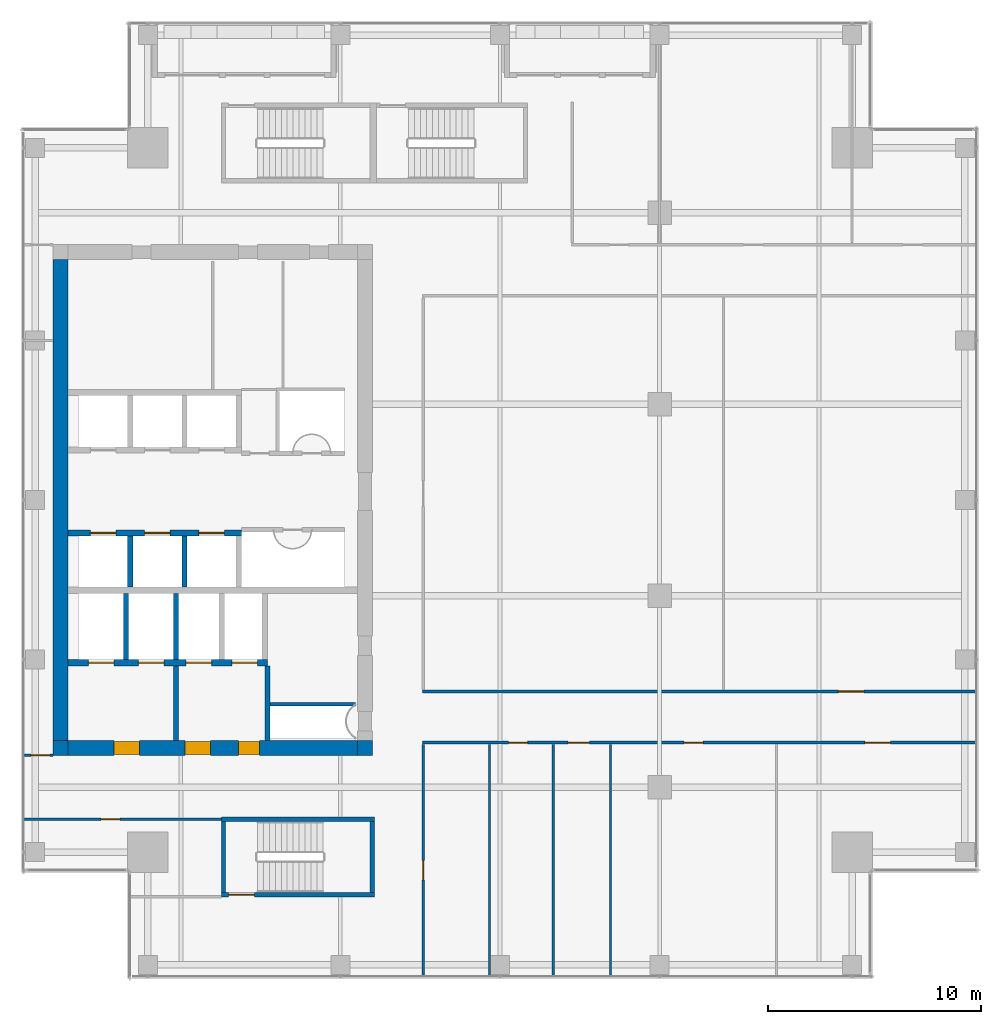
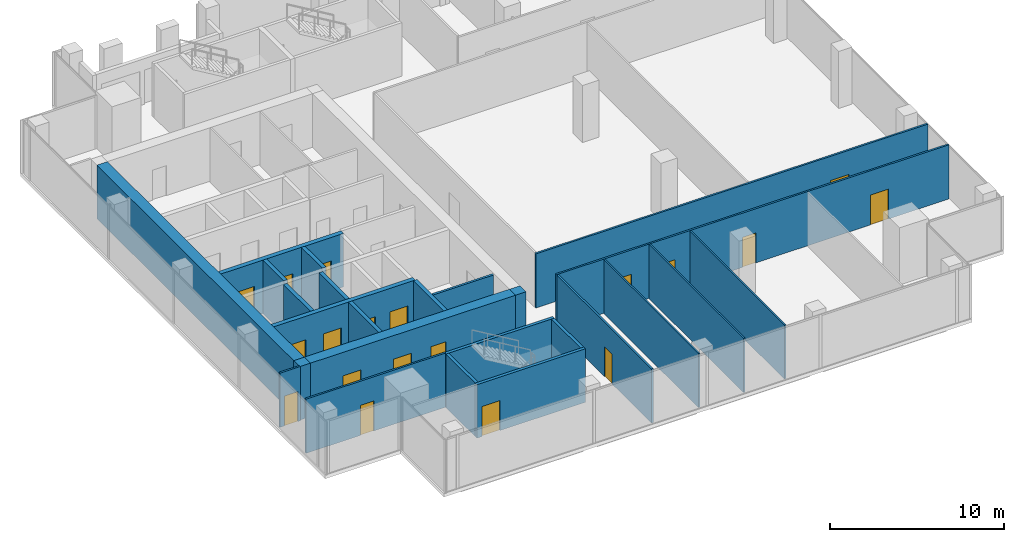
# One storey, part 30 of 35: 25 walls, 19 doors, 19 openings.
"""IFC4 building model written with IfcOpenShell, lengths in metres."""

from ifc_helpers import new_model, si_unit, direction, frame, frame_2d, origin, place, context, subcontext, project, spatial, rectangle, extrude, source, transform, mapped, material, layer, layer_set, type_object, element, fill, save


model = new_model("IFC4")

# Units and contexts
model_context = context("Model", 3, precision=1e-05, world=origin(), true_north=direction((0.0, 1.0)))
body_context = subcontext(model_context, "Body", "Model", "MODEL_VIEW")
ifc_project = project(units=[si_unit("LENGTHUNIT", "METRE"), si_unit("AREAUNIT", "SQUARE_METRE"), si_unit("VOLUMEUNIT", "CUBIC_METRE"), si_unit("PLANEANGLEUNIT", "RADIAN"), si_unit("MASSUNIT", "GRAM", prefix="KILO")], contexts=[model_context])

# Site, building, storey
site_placement = place(None, origin())
site = spatial("IfcSite", under=ifc_project, at=site_placement, CompositionType="ELEMENT")
building_placement = place(site_placement, origin())
building = spatial("IfcBuilding", under=site, at=building_placement, Name="Khomas Fold Tower", CompositionType="ELEMENT")
storey_placement = place(building_placement, frame((0.0, 0.0, 270.199951171875)))
storey = spatial("IfcBuildingStorey", under=building, at=storey_placement, Name="L61", CompositionType="ELEMENT", Elevation=270.199951171875)

# Wall
ifc_material_1 = material(Name="Concrete C50/60", Category="concrete")
ifc_layer_1 = layer(ifc_material_1, 0.199951171875)
ifc_layer_set_1 = layer_set([ifc_layer_1], Name="Concrete C50/60")
wall_type_1 = type_object("IfcWallType", Name="Stair wall 200", PredefinedType="SHEAR", material=ifc_layer_set_1)
shared_shape_1 = source(origin(), body_context, "Body", "SweptSolid", [
    extrude(rectangle(XDim=7.2001953125, YDim=0.199951171875, at=frame_2d((3.60009765625, 0.0))), origin(), (0.0, 0.0, 1.0), 3.75),
])
wall_1_placement = place(storey_placement, frame((13.89990234375, 12.0, 0.0), z_axis=(0.0, 0.0, 1.0), x_axis=(1.0, 0.0, 0.0)))
element("IfcWall", 1, at=wall_1_placement, inside=storey, type_object=wall_type_1, Name="Stair wall SW-ST2-NH", PredefinedType="SHEAR", context=body_context, shape_type="MappedRepresentation", body=[
    mapped(shared_shape_1, transform((0.0, 0.0, 0.0))),
])

# Wall, opening, door
wall_2_placement = place(storey_placement, frame((13.89990234375, 8.449951171875, 0.0), z_axis=(0.0, 0.0, 1.0), x_axis=(1.0, 0.0, 0.0)))
wall_2 = element("IfcWall", 2, at=wall_2_placement, inside=storey, type_object=wall_type_1, Name="Stair wall SW-ST2-S", PredefinedType="SHEAR", context=body_context, shape_type="MappedRepresentation", body=[
    mapped(shared_shape_1, transform((0.0, 0.0, 0.0))),
])
shared_shape_2 = source(origin(), body_context, "Body", "SweptSolid", [
    extrude(rectangle(XDim=1.199951171875, YDim=2.10009765625, at=frame_2d((0.60009765625, 1.050048828125))), frame((0.0, 0.10986328125, 0.0), z_axis=(0.0, -1.0, 0.0), x_axis=(1.0, 0.0, 0.0)), (0.0, 0.0, 1.0), 0.219970703125),
])
opening_1_placement = place(wall_2_placement, frame((0.35009765625, 0.0, 0.0)))
opening_1 = element("IfcOpeningElement", 3, at=opening_1_placement, cuts=wall_2, Name="Opening SD-ST2", PredefinedType="OPENING", context=body_context, shape_type="MappedRepresentation", body=[
    mapped(shared_shape_2, transform((0.0, 0.0, 0.0))),
])
ifc_material_2 = material(Name="Steel door leaf", Category="steel")
door_type_1 = type_object("IfcDoorType", Name="Stair door 1200x2100 right-hand", OperationType="SINGLE_SWING_RIGHT", PredefinedType="DOOR", material=ifc_material_2)
shared_shape_3 = source(origin(), body_context, "Body", "SweptSolid", [
    extrude(rectangle(XDim=1.199951171875, YDim=2.10009765625, at=frame_2d((0.60009765625, 1.050048828125))), frame((0.0, 0.02490234375, 0.0), z_axis=(0.0, -1.0, 0.0), x_axis=(1.0, 0.0, 0.0)), (0.0, 0.0, 1.0), 0.050048828125),
])
door_1_placement = place(opening_1_placement, origin())
door_1 = element("IfcDoor", 4, at=door_1_placement, inside=storey, type_object=door_type_1, Name="Stair door", OperationType="SINGLE_SWING_RIGHT", OverallHeight=2.10009765625, OverallWidth=1.199951171875, PredefinedType="DOOR", context=body_context, shape_type="MappedRepresentation", body=[
    mapped(shared_shape_3, transform((0.0, 0.0, 0.0))),
])
fill(opening_1, door_1)

# Walls
shared_shape_4 = source(origin(), body_context, "Body", "SweptSolid", [
    extrude(rectangle(XDim=3.349853515625, YDim=0.199951171875, at=frame_2d((1.6748046875, 0.0))), origin(), (0.0, 0.0, 1.0), 3.75),
])
for number, where, z_axis, x_axis, name in (
    (5, (21.0, 8.550048828125, 0.0), (0.0, 0.0, 1.0), (0.0, 1.0, 0.0), "Stair wall SW-ST2-E"),
    (6, (14.0, 8.550048828125, 0.0), (0.0, 0.0, 1.0), (0.0, 1.0, 0.0), "Stair wall SW-ST2-W"),
):
    element("IfcWall", number, at=place(storey_placement, frame(where, z_axis=z_axis, x_axis=x_axis)), inside=storey, type_object=wall_type_1, Name=name, PredefinedType="SHEAR", context=body_context, shape_type="MappedRepresentation", body=[
        mapped(shared_shape_4, transform((0.0, 0.0, 0.0))),
    ])
ifc_material_3 = material(Name="Concrete C50/60", Category="concrete")
ifc_layer_2 = layer(ifc_material_3, 0.25)
ifc_layer_set_2 = layer_set([ifc_layer_2], Name="Concrete C50/60")
wall_type_2 = type_object("IfcWallType", Name="Shaft wall 250", PredefinedType="STANDARD", material=ifc_layer_set_2)
shared_shape_5 = source(origin(), body_context, "Body", "SweptSolid", [
    extrude(rectangle(XDim=3.10009765625, YDim=0.25, at=frame_2d((1.550048828125, 0.0))), origin(), (0.0, 0.0, 1.0), 3.75),
])
for number, where, z_axis, x_axis, name in (
    (7, (9.425048828125, 19.5, 0.0), (0.0, 0.0, 1.0), (0.0, 1.0, 0.0), "Core wall SW-FS-P1"),
    (8, (11.77490234375, 19.5, 0.0), (0.0, 0.0, 1.0), (0.0, 1.0, 0.0), "Core wall SW-FS-P2"),
):
    element("IfcWall", number, at=place(storey_placement, frame(where, z_axis=z_axis, x_axis=x_axis)), inside=storey, type_object=wall_type_2, Name=name, PredefinedType="STANDARD", context=body_context, shape_type="MappedRepresentation", body=[
        mapped(shared_shape_5, transform((0.0, 0.0, 0.0))),
    ])
shared_shape_6 = source(origin(), body_context, "Body", "SweptSolid", [
    extrude(rectangle(XDim=2.400146484375, YDim=0.25, at=frame_2d((1.2001953125, 0.0))), origin(), (0.0, 0.0, 1.0), 3.75),
])
for number, where, z_axis, x_axis, name in (
    (9, (9.625, 22.89990234375, 0.0), (0.0, 0.0, 1.0), (0.0, 1.0, 0.0), "Core wall SW-HRS-P1"),
    (10, (12.175048828125, 22.89990234375, 0.0), (0.0, 0.0, 1.0), (0.0, 1.0, 0.0), "Core wall SW-HRS-P2"),
):
    element("IfcWall", number, at=place(storey_placement, frame(where, z_axis=z_axis, x_axis=x_axis)), inside=storey, type_object=wall_type_2, Name=name, PredefinedType="STANDARD", context=body_context, shape_type="MappedRepresentation", body=[
        mapped(shared_shape_6, transform((0.0, 0.0, 0.0))),
    ])

# Wall, openings, doors
ifc_material_4 = material(Name="Concrete C60/75", Category="concrete")
ifc_layer_3 = layer(ifc_material_4, 0.699951171875)
ifc_layer_set_3 = layer_set([ifc_layer_3], Name="Concrete C60/75")
wall_type_3 = type_object("IfcWallType", Name="Core wall 700", PredefinedType="SHEAR", material=ifc_layer_set_3)
shared_shape_7 = source(origin(), body_context, "Body", "SweptSolid", [
    extrude(rectangle(XDim=13.60009765625, YDim=0.699951171875, at=frame_2d((6.800048828125, 0.0))), origin(), (0.0, 0.0, 1.0), 3.75),
])
wall_3_placement = place(storey_placement, frame((6.699951171875, 15.35009765625, 0.0), z_axis=(0.0, 0.0, 1.0), x_axis=(1.0, 0.0, 0.0)))
wall_3 = element("IfcWall", 11, at=wall_3_placement, inside=storey, type_object=wall_type_3, Name="Core wall CW-U-S-L49", PredefinedType="SHEAR", context=body_context, shape_type="MappedRepresentation", body=[
    mapped(shared_shape_7, transform((0.0, 0.0, 0.0))),
])
shared_shape_8 = source(origin(), body_context, "Body", "SweptSolid", [
    extrude(rectangle(XDim=1.199951171875, YDim=2.10009765625, at=frame_2d((0.60009765625, 1.050048828125))), frame((0.0, 0.35986328125, 0.0), z_axis=(0.0, -1.0, 0.0), x_axis=(1.0, 0.0, 0.0)), (0.0, 0.0, 1.0), 0.719970703125),
])
opening_2_placement = place(wall_3_placement, frame((5.5, 0.0, 0.0)))
opening_2 = element("IfcOpeningElement", 12, at=opening_2_placement, cuts=wall_3, Name="Opening 0009", PredefinedType="OPENING", context=body_context, shape_type="MappedRepresentation", body=[
    mapped(shared_shape_8, transform((0.0, 0.0, 0.0))),
])
opening_3_placement = place(wall_3_placement, frame((2.14990234375, 0.0, 0.0)))
opening_3 = element("IfcOpeningElement", 13, at=opening_3_placement, cuts=wall_3, Name="Opening 0009", PredefinedType="OPENING", context=body_context, shape_type="MappedRepresentation", body=[
    mapped(shared_shape_8, transform((0.0, 0.0, 0.0))),
])
shared_shape_9 = source(origin(), body_context, "Body", "SweptSolid", [
    extrude(rectangle(XDim=1.0, YDim=2.10009765625, at=frame_2d((0.5, 1.050048828125))), frame((0.0, 0.35986328125, 0.0), z_axis=(0.0, -1.0, 0.0), x_axis=(1.0, 0.0, 0.0)), (0.0, 0.0, 1.0), 0.719970703125),
])
opening_4_placement = place(wall_3_placement, frame((8.0, 0.0, 0.0)))
opening_4 = element("IfcOpeningElement", 14, at=opening_4_placement, cuts=wall_3, Name="Opening 0010", PredefinedType="OPENING", context=body_context, shape_type="MappedRepresentation", body=[
    mapped(shared_shape_9, transform((0.0, 0.0, 0.0))),
])
ifc_material_5 = material(Name="Steel door leaf", Category="steel")
door_type_2 = type_object("IfcDoorType", Name="Lobby door 1200x2100 right-hand", OperationType="SINGLE_SWING_RIGHT", PredefinedType="DOOR", material=ifc_material_5)
shared_shape_10 = source(origin(), body_context, "Body", "SweptSolid", [
    extrude(rectangle(XDim=1.199951171875, YDim=2.10009765625, at=frame_2d((0.60009765625, 1.050048828125))), frame((0.0, 0.2998046875, 0.0), z_axis=(0.0, -1.0, 0.0), x_axis=(1.0, 0.0, 0.0)), (0.0, 0.0, 1.0), 0.599853515625),
])
door_2_placement = place(opening_2_placement, origin())
door_2 = element("IfcDoor", 15, at=door_2_placement, inside=storey, type_object=door_type_2, Name="Lobby door", OperationType="SINGLE_SWING_RIGHT", OverallHeight=2.10009765625, OverallWidth=1.199951171875, PredefinedType="DOOR", context=body_context, shape_type="MappedRepresentation", body=[
    mapped(shared_shape_10, transform((0.0, 0.0, 0.0))),
])
fill(opening_2, door_2)
door_3_placement = place(opening_3_placement, origin())
door_3 = element("IfcDoor", 16, at=door_3_placement, inside=storey, type_object=door_type_2, Name="Lobby door", OperationType="SINGLE_SWING_RIGHT", OverallHeight=2.10009765625, OverallWidth=1.199951171875, PredefinedType="DOOR", context=body_context, shape_type="MappedRepresentation", body=[
    mapped(shared_shape_10, transform((0.0, 0.0, 0.0))),
])
fill(opening_3, door_3)
ifc_material_6 = material(Name="Steel door leaf", Category="steel")
door_type_3 = type_object("IfcDoorType", Name="Stair door 1000x2100 right-hand", OperationType="SINGLE_SWING_RIGHT", PredefinedType="DOOR", material=ifc_material_6)
shared_shape_11 = source(origin(), body_context, "Body", "SweptSolid", [
    extrude(rectangle(XDim=1.0, YDim=2.10009765625, at=frame_2d((0.5, 1.050048828125))), frame((0.0, 0.2998046875, 0.0), z_axis=(0.0, -1.0, 0.0), x_axis=(1.0, 0.0, 0.0)), (0.0, 0.0, 1.0), 0.599853515625),
])
door_4_placement = place(opening_4_placement, origin())
door_4 = element("IfcDoor", 17, at=door_4_placement, inside=storey, type_object=door_type_3, Name="Stair door", OperationType="SINGLE_SWING_RIGHT", OverallHeight=2.10009765625, OverallWidth=1.0, PredefinedType="DOOR", context=body_context, shape_type="MappedRepresentation", body=[
    mapped(shared_shape_11, transform((0.0, 0.0, 0.0))),
])
fill(opening_4, door_4)

# Walls
ifc_material_7 = material(Name="Concrete C60/75", Category="concrete")
ifc_layer_4 = layer(ifc_material_7, 0.699951171875)
ifc_layer_set_4 = layer_set([ifc_layer_4], Name="Concrete C60/75")
wall_type_4 = type_object("IfcWallType", Name="Core corner wall 700", PredefinedType="SHEAR", material=ifc_layer_set_4)
shared_shape_12 = source(origin(), body_context, "Body", "SweptSolid", [
    extrude(rectangle(XDim=0.699951171875, YDim=0.699951171875, at=frame_2d((0.35009765625, 0.0))), origin(), (0.0, 0.0, 1.0), 3.75),
])
for number, where, z_axis, x_axis, name in (
    (18, (20.300048828125, 15.35009765625, 0.0), (0.0, 0.0, 1.0), (1.0, 0.0, 0.0), "Core wall CW-U-SE-L49"),
    (19, (6.0, 15.35009765625, 0.0), (0.0, 0.0, 1.0), (1.0, 0.0, 0.0), "Core wall CW-U-SW-L49"),
):
    element("IfcWall", number, at=place(storey_placement, frame(where, z_axis=z_axis, x_axis=x_axis)), inside=storey, type_object=wall_type_4, Name=name, PredefinedType="SHEAR", context=body_context, shape_type="MappedRepresentation", body=[
        mapped(shared_shape_12, transform((0.0, 0.0, 0.0))),
    ])
shared_shape_13 = source(origin(), body_context, "Body", "SweptSolid", [
    extrude(rectangle(XDim=22.60009765625, YDim=0.699951171875, at=frame_2d((11.300048828125, 0.0))), origin(), (0.0, 0.0, 1.0), 3.75),
])
wall_4_placement = place(storey_placement, frame((6.35009765625, 15.699951171875, 0.0), z_axis=(0.0, 0.0, 1.0), x_axis=(0.0, 1.0, 0.0)))
element("IfcWall", 20, at=wall_4_placement, inside=storey, type_object=wall_type_3, Name="Core wall CW-U-W-L49", PredefinedType="SHEAR", context=body_context, shape_type="MappedRepresentation", body=[
    mapped(shared_shape_13, transform((0.0, 0.0, 0.0))),
])

# Wall, openings, doors
ifc_material_8 = material(Name="Concrete C50/60", Category="concrete")
ifc_layer_5 = layer(ifc_material_8, 0.300048828125)
ifc_layer_set_5 = layer_set([ifc_layer_5], Name="Concrete C50/60")
wall_type_5 = type_object("IfcWallType", Name="Shaft wall 300", PredefinedType="STANDARD", material=ifc_layer_set_5)
shared_shape_14 = source(origin(), body_context, "Body", "SweptSolid", [
    extrude(rectangle(XDim=9.375, YDim=0.300048828125, at=frame_2d((4.6875, 0.0))), origin(), (0.0, 0.0, 1.0), 3.75),
])
wall_5_placement = place(storey_placement, frame((6.699951171875, 19.35009765625, 0.0), z_axis=(0.0, 0.0, 1.0), x_axis=(1.0, 0.0, 0.0)))
wall_5 = element("IfcWall", 21, at=wall_5_placement, inside=storey, type_object=wall_type_5, Name="Core wall SW-FS-F", PredefinedType="STANDARD", context=body_context, shape_type="MappedRepresentation", body=[
    mapped(shared_shape_14, transform((0.0, 0.0, 0.0))),
])
shared_shape_15 = source(origin(), body_context, "Body", "SweptSolid", [
    extrude(rectangle(XDim=1.199951171875, YDim=2.10009765625, at=frame_2d((0.60009765625, 1.050048828125))), frame((0.0, 0.159912109375, 0.0), z_axis=(0.0, -1.0, 0.0), x_axis=(1.0, 0.0, 0.0)), (0.0, 0.0, 1.0), 0.320068359375),
])
opening_5_placement = place(wall_5_placement, frame((0.949951171875, 0.0, 0.0)))
opening_5 = element("IfcOpeningElement", 22, at=opening_5_placement, cuts=wall_5, Name="Opening LD-SV1", PredefinedType="OPENING", context=body_context, shape_type="MappedRepresentation", body=[
    mapped(shared_shape_15, transform((0.0, 0.0, 0.0))),
])
opening_6_placement = place(wall_5_placement, frame((3.300048828125, 0.0, 0.0)))
opening_6 = element("IfcOpeningElement", 23, at=opening_6_placement, cuts=wall_5, Name="Opening LD-SV2", PredefinedType="OPENING", context=body_context, shape_type="MappedRepresentation", body=[
    mapped(shared_shape_15, transform((0.0, 0.0, 0.0))),
])
opening_7_placement = place(wall_5_placement, frame((5.550048828125, 0.0, 0.0)))
opening_7 = element("IfcOpeningElement", 24, at=opening_7_placement, cuts=wall_5, Name="Opening LD-FF1", PredefinedType="OPENING", context=body_context, shape_type="MappedRepresentation", body=[
    mapped(shared_shape_15, transform((0.0, 0.0, 0.0))),
])
opening_8_placement = place(wall_5_placement, frame((7.699951171875, 0.0, 0.0)))
opening_8 = element("IfcOpeningElement", 25, at=opening_8_placement, cuts=wall_5, Name="Opening LD-FF2", PredefinedType="OPENING", context=body_context, shape_type="MappedRepresentation", body=[
    mapped(shared_shape_15, transform((0.0, 0.0, 0.0))),
])
ifc_material_9 = material(Name="Steel door leaf", Category="steel")
door_type_4 = type_object("IfcDoorType", Name="Landing door 1200x2100", OperationType="DOUBLE_DOOR_SLIDING", PredefinedType="DOOR", material=ifc_material_9)
door_5_placement = place(opening_5_placement, origin())
door_5 = element("IfcDoor", 26, at=door_5_placement, inside=storey, type_object=door_type_4, Name="Lift landing door", OperationType="DOUBLE_DOOR_SLIDING", OverallHeight=2.10009765625, OverallWidth=1.199951171875, PredefinedType="DOOR", context=body_context, shape_type="MappedRepresentation", body=[
    mapped(shared_shape_3, transform((0.0, 0.0, 0.0))),
])
fill(opening_5, door_5)
door_6_placement = place(opening_6_placement, origin())
door_6 = element("IfcDoor", 27, at=door_6_placement, inside=storey, type_object=door_type_4, Name="Lift landing door", OperationType="DOUBLE_DOOR_SLIDING", OverallHeight=2.10009765625, OverallWidth=1.199951171875, PredefinedType="DOOR", context=body_context, shape_type="MappedRepresentation", body=[
    mapped(shared_shape_3, transform((0.0, 0.0, 0.0))),
])
fill(opening_6, door_6)
door_7_placement = place(opening_7_placement, origin())
door_7 = element("IfcDoor", 28, at=door_7_placement, inside=storey, type_object=door_type_4, Name="Lift landing door", OperationType="DOUBLE_DOOR_SLIDING", OverallHeight=2.10009765625, OverallWidth=1.199951171875, PredefinedType="DOOR", context=body_context, shape_type="MappedRepresentation", body=[
    mapped(shared_shape_3, transform((0.0, 0.0, 0.0))),
])
fill(opening_7, door_7)
door_8_placement = place(opening_8_placement, origin())
door_8 = element("IfcDoor", 29, at=door_8_placement, inside=storey, type_object=door_type_4, Name="Lift landing door", OperationType="DOUBLE_DOOR_SLIDING", OverallHeight=2.10009765625, OverallWidth=1.199951171875, PredefinedType="DOOR", context=body_context, shape_type="MappedRepresentation", body=[
    mapped(shared_shape_3, transform((0.0, 0.0, 0.0))),
])
fill(opening_8, door_8)

# Walls
ifc_material_10 = material(Name="Concrete C50/60", Category="concrete")
ifc_layer_6 = layer(ifc_material_10, 0.25)
ifc_layer_set_6 = layer_set([ifc_layer_6], Name="Concrete C50/60")
wall_type_6 = type_object("IfcWallType", Name="Lobby wall 250", PredefinedType="STANDARD", material=ifc_layer_set_6)
shared_shape_16 = source(origin(), body_context, "Body", "SweptSolid", [
    extrude(rectangle(XDim=3.5, YDim=0.25, at=frame_2d((1.75, 0.0))), origin(), (0.0, 0.0, 1.0), 3.75),
])
for number, where, z_axis, x_axis, name in (
    (30, (16.074951171875, 15.699951171875, 0.0), (0.0, 0.0, 1.0), (0.0, 1.0, 0.0), "Core wall SW-FS-LOB-E"),
    (31, (11.77490234375, 15.699951171875, 0.0), (0.0, 0.0, 1.0), (0.0, 1.0, 0.0), "Core wall SW-FS-SEP"),
):
    element("IfcWall", number, at=place(storey_placement, frame(where, z_axis=z_axis, x_axis=x_axis)), inside=storey, type_object=wall_type_6, Name=name, PredefinedType="STANDARD", context=body_context, shape_type="MappedRepresentation", body=[
        mapped(shared_shape_16, transform((0.0, 0.0, 0.0))),
    ])

# Wall, openings, doors
shared_shape_17 = source(origin(), body_context, "Body", "SweptSolid", [
    extrude(rectangle(XDim=8.150146484375, YDim=0.300048828125, at=frame_2d((4.0751953125, 0.0))), origin(), (0.0, 0.0, 1.0), 3.75),
])
wall_6_placement = place(storey_placement, frame((6.699951171875, 25.449951171875, 0.0), z_axis=(0.0, 0.0, 1.0), x_axis=(1.0, 0.0, 0.0)))
wall_6 = element("IfcWall", 32, at=wall_6_placement, inside=storey, type_object=wall_type_5, Name="Core wall SW-HRS-F", PredefinedType="STANDARD", context=body_context, shape_type="MappedRepresentation", body=[
    mapped(shared_shape_17, transform((0.0, 0.0, 0.0))),
])
opening_9_placement = place(wall_6_placement, frame((1.050048828125, 0.0, 0.0)))
opening_9 = element("IfcOpeningElement", 33, at=opening_9_placement, cuts=wall_6, Name="Opening LD-HR1", PredefinedType="OPENING", context=body_context, shape_type="MappedRepresentation", body=[
    mapped(shared_shape_15, transform((0.0, 0.0, 0.0))),
])
opening_10_placement = place(wall_6_placement, frame((3.60009765625, 0.0, 0.0)))
opening_10 = element("IfcOpeningElement", 34, at=opening_10_placement, cuts=wall_6, Name="Opening LD-HR2", PredefinedType="OPENING", context=body_context, shape_type="MappedRepresentation", body=[
    mapped(shared_shape_15, transform((0.0, 0.0, 0.0))),
])
opening_11_placement = place(wall_6_placement, frame((6.14990234375, 0.0, 0.0)))
opening_11 = element("IfcOpeningElement", 35, at=opening_11_placement, cuts=wall_6, Name="Opening LD-HR3", PredefinedType="OPENING", context=body_context, shape_type="MappedRepresentation", body=[
    mapped(shared_shape_15, transform((0.0, 0.0, 0.0))),
])
door_9_placement = place(opening_9_placement, origin())
door_9 = element("IfcDoor", 36, at=door_9_placement, inside=storey, type_object=door_type_4, Name="Lift landing door", OperationType="DOUBLE_DOOR_SLIDING", OverallHeight=2.10009765625, OverallWidth=1.199951171875, PredefinedType="DOOR", context=body_context, shape_type="MappedRepresentation", body=[
    mapped(shared_shape_3, transform((0.0, 0.0, 0.0))),
])
fill(opening_9, door_9)
door_10_placement = place(opening_10_placement, origin())
door_10 = element("IfcDoor", 37, at=door_10_placement, inside=storey, type_object=door_type_4, Name="Lift landing door", OperationType="DOUBLE_DOOR_SLIDING", OverallHeight=2.10009765625, OverallWidth=1.199951171875, PredefinedType="DOOR", context=body_context, shape_type="MappedRepresentation", body=[
    mapped(shared_shape_3, transform((0.0, 0.0, 0.0))),
])
fill(opening_10, door_10)
door_11_placement = place(opening_11_placement, origin())
door_11 = element("IfcDoor", 38, at=door_11_placement, inside=storey, type_object=door_type_4, Name="Lift landing door", OperationType="DOUBLE_DOOR_SLIDING", OverallHeight=2.10009765625, OverallWidth=1.199951171875, PredefinedType="DOOR", context=body_context, shape_type="MappedRepresentation", body=[
    mapped(shared_shape_3, transform((0.0, 0.0, 0.0))),
])
fill(opening_11, door_11)

# Wall
ifc_material_11 = material(Name="Plasterboard fire partition")
ifc_layer_7 = layer(ifc_material_11, 0.14990234375)
ifc_layer_set_7 = layer_set([ifc_layer_7], Name="Plasterboard fire partition")
wall_type_7 = type_object("IfcWallType", Name="Plant room wall PW3 150", PredefinedType="PARTITIONING", material=ifc_layer_set_7)
shared_shape_18 = source(origin(), body_context, "Body", "SweptSolid", [
    extrude(rectangle(XDim=4.0, YDim=0.14990234375, at=frame_2d((2.0, 0.0))), origin(), (0.0, 0.0, 1.0), 3.800048828125),
])
wall_7_placement = place(storey_placement, frame((16.199951171875, 17.39990234375, 0.0), z_axis=(0.0, 0.0, 1.0), x_axis=(1.0, 0.0, 0.0)))
element("IfcWall", 39, at=wall_7_placement, inside=storey, type_object=wall_type_7, Name="Plant room wall", PredefinedType="PARTITIONING", context=body_context, shape_type="MappedRepresentation", body=[
    mapped(shared_shape_18, transform((0.0, 0.0, 0.0))),
])

# Wall, opening, door
ifc_material_12 = material(Name="Plasterboard partition")
ifc_layer_8 = layer(ifc_material_12, 0.125)
ifc_layer_set_8 = layer_set([ifc_layer_8], Name="Plasterboard partition")
wall_type_8 = type_object("IfcWallType", Name="Partition PW2 125", PredefinedType="PARTITIONING", material=ifc_layer_set_8)
shared_shape_19 = source(origin(), body_context, "Body", "SweptSolid", [
    extrude(rectangle(XDim=9.25, YDim=0.125, at=frame_2d((4.625, 0.0))), origin(), (0.0, 0.0, 1.0), 3.800048828125),
])
wall_8_placement = place(storey_placement, frame((4.64990234375, 12.0, 0.0), z_axis=(0.0, 0.0, 1.0), x_axis=(1.0, 0.0, 0.0)))
wall_8 = element("IfcWall", 40, at=wall_8_placement, inside=storey, type_object=wall_type_8, Name="Partition", PredefinedType="PARTITIONING", context=body_context, shape_type="MappedRepresentation", body=[
    mapped(shared_shape_19, transform((0.0, 0.0, 0.0))),
])
shared_shape_20 = source(origin(), body_context, "Body", "SweptSolid", [
    extrude(rectangle(XDim=0.89990234375, YDim=2.10009765625, at=frame_2d((0.449951171875, 1.050048828125))), frame((0.0, 0.072509765625, 0.0), z_axis=(0.0, -1.0, 0.0), x_axis=(1.0, 0.0, 0.0)), (0.0, 0.0, 1.0), 0.14501953125),
])
opening_12_placement = place(wall_8_placement, frame((3.60009765625, 0.0, 0.0)))
opening_12 = element("IfcOpeningElement", 41, at=opening_12_placement, cuts=wall_8, Name="Opening 0007", PredefinedType="OPENING", context=body_context, shape_type="MappedRepresentation", body=[
    mapped(shared_shape_20, transform((0.0, 0.0, 0.0))),
])
ifc_material_13 = material(Name="Timber door leaf", Category="wood")
door_type_5 = type_object("IfcDoorType", Name="Door 900x2100 left-hand", OperationType="SINGLE_SWING_LEFT", PredefinedType="DOOR", material=ifc_material_13)
shared_shape_21 = source(origin(), body_context, "Body", "SweptSolid", [
    extrude(rectangle(XDim=0.89990234375, YDim=2.10009765625, at=frame_2d((0.449951171875, 1.050048828125))), frame((0.0, 0.02490234375, 0.0), z_axis=(0.0, -1.0, 0.0), x_axis=(1.0, 0.0, 0.0)), (0.0, 0.0, 1.0), 0.050048828125),
])
door_12_placement = place(opening_12_placement, origin())
door_12 = element("IfcDoor", 42, at=door_12_placement, inside=storey, type_object=door_type_5, Name="Door", OperationType="SINGLE_SWING_LEFT", OverallHeight=2.10009765625, OverallWidth=0.89990234375, PredefinedType="DOOR", context=body_context, shape_type="MappedRepresentation", body=[
    mapped(shared_shape_21, transform((0.0, 0.0, 0.0))),
])
fill(opening_12, door_12)

shared_shape_22 = source(origin(), body_context, "Body", "SweptSolid", [
    extrude(rectangle(XDim=10.85009765625, YDim=0.125, at=frame_2d((5.425048828125, 0.0))), origin(), (0.0, 0.0, 1.0), 3.800048828125),
])
wall_9_placement = place(storey_placement, frame((23.39990234375, 4.64990234375, 0.0), z_axis=(0.0, 0.0, 1.0), x_axis=(0.0, 1.0, 0.0)))
wall_9 = element("IfcWall", 43, at=wall_9_placement, inside=storey, type_object=wall_type_8, Name="Partition", PredefinedType="PARTITIONING", context=body_context, shape_type="MappedRepresentation", body=[
    mapped(shared_shape_22, transform((0.0, 0.0, 0.0))),
])
opening_13_placement = place(wall_9_placement, frame((4.5, 0.0, 0.0)))
opening_13 = element("IfcOpeningElement", 44, at=opening_13_placement, cuts=wall_9, Name="Opening 0005", PredefinedType="OPENING", context=body_context, shape_type="MappedRepresentation", body=[
    mapped(shared_shape_20, transform((0.0, 0.0, 0.0))),
])
ifc_material_14 = material(Name="Timber door leaf", Category="wood")
door_type_6 = type_object("IfcDoorType", Name="WC door 900x2100 left-hand", OperationType="SINGLE_SWING_LEFT", PredefinedType="DOOR", material=ifc_material_14)
door_13_placement = place(opening_13_placement, origin())
door_13 = element("IfcDoor", 45, at=door_13_placement, inside=storey, type_object=door_type_6, Name="WC door", OperationType="SINGLE_SWING_LEFT", OverallHeight=2.10009765625, OverallWidth=0.89990234375, PredefinedType="DOOR", context=body_context, shape_type="MappedRepresentation", body=[
    mapped(shared_shape_21, transform((0.0, 0.0, 0.0))),
])
fill(opening_13, door_13)

# Walls
ifc_material_15 = material(Name="Plasterboard partition")
ifc_layer_9 = layer(ifc_material_15, 0.10009765625)
ifc_layer_set_9 = layer_set([ifc_layer_9], Name="Plasterboard partition")
wall_type_9 = type_object("IfcWallType", Name="Partition PW1 100", PredefinedType="PARTITIONING", material=ifc_layer_set_9)
shared_shape_23 = source(origin(), body_context, "Body", "SweptSolid", [
    extrude(rectangle(XDim=10.85009765625, YDim=0.10009765625, at=frame_2d((5.425048828125, 0.0))), origin(), (0.0, 0.0, 1.0), 3.800048828125),
])
for number, where, z_axis, x_axis, name in (
    (46, (26.5, 4.64990234375, 0.0), (0.0, 0.0, 1.0), (0.0, 1.0, 0.0), "Partition"),
    (47, (29.5, 4.64990234375, 0.0), (0.0, 0.0, 1.0), (0.0, 1.0, 0.0), "Partition"),
    (48, (32.199951171875, 4.64990234375, 0.0), (0.0, 0.0, 1.0), (0.0, 1.0, 0.0), "Partition"),
):
    element("IfcWall", number, at=place(storey_placement, frame(where, z_axis=z_axis, x_axis=x_axis)), inside=storey, type_object=wall_type_9, Name=name, PredefinedType="PARTITIONING", context=body_context, shape_type="MappedRepresentation", body=[
        mapped(shared_shape_23, transform((0.0, 0.0, 0.0))),
    ])

# Wall, opening, door
shared_shape_24 = source(origin(), body_context, "Body", "SweptSolid", [
    extrude(rectangle(XDim=1.35009765625, YDim=0.125, at=frame_2d((0.675048828125, 0.0))), origin(), (0.0, 0.0, 1.0), 3.800048828125),
])
wall_10_placement = place(storey_placement, frame((4.64990234375, 15.0, 0.0), z_axis=(0.0, 0.0, 1.0), x_axis=(1.0, 0.0, 0.0)))
wall_10 = element("IfcWall", 49, at=wall_10_placement, inside=storey, type_object=wall_type_8, Name="Partition", PredefinedType="PARTITIONING", context=body_context, shape_type="MappedRepresentation", body=[
    mapped(shared_shape_24, transform((0.0, 0.0, 0.0))),
])
opening_14_placement = place(wall_10_placement, frame((0.300048828125, 0.0, 0.0)))
opening_14 = element("IfcOpeningElement", 50, at=opening_14_placement, cuts=wall_10, Name="Opening 0007", PredefinedType="OPENING", context=body_context, shape_type="MappedRepresentation", body=[
    mapped(shared_shape_20, transform((0.0, 0.0, 0.0))),
])
door_14_placement = place(opening_14_placement, origin())
door_14 = element("IfcDoor", 51, at=door_14_placement, inside=storey, type_object=door_type_5, Name="Door", OperationType="SINGLE_SWING_LEFT", OverallHeight=2.10009765625, OverallWidth=0.89990234375, PredefinedType="DOOR", context=body_context, shape_type="MappedRepresentation", body=[
    mapped(shared_shape_21, transform((0.0, 0.0, 0.0))),
])
fill(opening_14, door_14)

# Wall, openings, doors
shared_shape_25 = source(origin(), body_context, "Body", "SweptSolid", [
    extrude(rectangle(XDim=26.0, YDim=0.125, at=frame_2d((13.0, 0.0))), origin(), (0.0, 0.0, 1.0), 3.800048828125),
])
wall_11_placement = place(storey_placement, frame((23.35009765625, 15.60009765625, 0.0), z_axis=(0.0, 0.0, 1.0), x_axis=(1.0, 0.0, 0.0)))
wall_11 = element("IfcWall", 52, at=wall_11_placement, inside=storey, type_object=wall_type_8, Name="Partition", PredefinedType="PARTITIONING", context=body_context, shape_type="MappedRepresentation", body=[
    mapped(shared_shape_25, transform((0.0, 0.0, 0.0))),
])
opening_15_placement = place(wall_11_placement, frame((4.050048828125, 0.0, 0.0)))
opening_15 = element("IfcOpeningElement", 53, at=opening_15_placement, cuts=wall_11, Name="Opening 0005", PredefinedType="OPENING", context=body_context, shape_type="MappedRepresentation", body=[
    mapped(shared_shape_20, transform((0.0, 0.0, 0.0))),
])
shared_shape_26 = source(origin(), body_context, "Body", "SweptSolid", [
    extrude(rectangle(XDim=1.0, YDim=2.10009765625, at=frame_2d((0.5, 1.050048828125))), frame((0.0, 0.072509765625, 0.0), z_axis=(0.0, -1.0, 0.0), x_axis=(1.0, 0.0, 0.0)), (0.0, 0.0, 1.0), 0.14501953125),
])
opening_16_placement = place(wall_11_placement, frame((6.85009765625, 0.0, 0.0)))
opening_16 = element("IfcOpeningElement", 54, at=opening_16_placement, cuts=wall_11, Name="Opening 0014", PredefinedType="OPENING", context=body_context, shape_type="MappedRepresentation", body=[
    mapped(shared_shape_26, transform((0.0, 0.0, 0.0))),
])
opening_17_placement = place(wall_11_placement, frame((12.300048828125, 0.0, 0.0)))
opening_17 = element("IfcOpeningElement", 55, at=opening_17_placement, cuts=wall_11, Name="Opening 0008", PredefinedType="OPENING", context=body_context, shape_type="MappedRepresentation", body=[
    mapped(shared_shape_20, transform((0.0, 0.0, 0.0))),
])
shared_shape_27 = source(origin(), body_context, "Body", "SweptSolid", [
    extrude(rectangle(XDim=1.199951171875, YDim=2.10009765625, at=frame_2d((0.60009765625, 1.050048828125))), frame((0.0, 0.072509765625, 0.0), z_axis=(0.0, -1.0, 0.0), x_axis=(1.0, 0.0, 0.0)), (0.0, 0.0, 1.0), 0.14501953125),
])
opening_18_placement = place(wall_11_placement, frame((20.800048828125, 0.0, 0.0)))
opening_18 = element("IfcOpeningElement", 56, at=opening_18_placement, cuts=wall_11, Name="Opening 0013", PredefinedType="OPENING", context=body_context, shape_type="MappedRepresentation", body=[
    mapped(shared_shape_27, transform((0.0, 0.0, 0.0))),
])
door_15_placement = place(opening_15_placement, origin())
door_15 = element("IfcDoor", 57, at=door_15_placement, inside=storey, type_object=door_type_6, Name="WC door", OperationType="SINGLE_SWING_LEFT", OverallHeight=2.10009765625, OverallWidth=0.89990234375, PredefinedType="DOOR", context=body_context, shape_type="MappedRepresentation", body=[
    mapped(shared_shape_21, transform((0.0, 0.0, 0.0))),
])
fill(opening_15, door_15)
ifc_material_16 = material(Name="Timber door leaf", Category="wood")
door_type_7 = type_object("IfcDoorType", Name="Door 900x2100 right-hand", OperationType="SINGLE_SWING_RIGHT", PredefinedType="DOOR", material=ifc_material_16)
door_16_placement = place(opening_17_placement, origin())
door_16 = element("IfcDoor", 58, at=door_16_placement, inside=storey, type_object=door_type_7, Name="Door", OperationType="SINGLE_SWING_RIGHT", OverallHeight=2.10009765625, OverallWidth=0.89990234375, PredefinedType="DOOR", context=body_context, shape_type="MappedRepresentation", body=[
    mapped(shared_shape_21, transform((0.0, 0.0, 0.0))),
])
fill(opening_17, door_16)
ifc_material_17 = material(Name="Timber door leaf", Category="wood")
door_type_8 = type_object("IfcDoorType", Name="WC door 1000x2100 left-hand", OperationType="SINGLE_SWING_LEFT", PredefinedType="DOOR", material=ifc_material_17)
shared_shape_28 = source(origin(), body_context, "Body", "SweptSolid", [
    extrude(rectangle(XDim=1.0, YDim=2.10009765625, at=frame_2d((0.5, 1.050048828125))), frame((0.0, 0.02490234375, 0.0), z_axis=(0.0, -1.0, 0.0), x_axis=(1.0, 0.0, 0.0)), (0.0, 0.0, 1.0), 0.050048828125),
])
door_17_placement = place(opening_16_placement, origin())
door_17 = element("IfcDoor", 59, at=door_17_placement, inside=storey, type_object=door_type_8, Name="WC door", OperationType="SINGLE_SWING_LEFT", OverallHeight=2.10009765625, OverallWidth=1.0, PredefinedType="DOOR", context=body_context, shape_type="MappedRepresentation", body=[
    mapped(shared_shape_28, transform((0.0, 0.0, 0.0))),
])
fill(opening_16, door_17)
ifc_material_18 = material(Name="Timber door leaf", Category="wood")
door_type_9 = type_object("IfcDoorType", Name="Door 1200x2100 left-hand", OperationType="SINGLE_SWING_LEFT", PredefinedType="DOOR", material=ifc_material_18)
door_18_placement = place(opening_18_placement, origin())
door_18 = element("IfcDoor", 60, at=door_18_placement, inside=storey, type_object=door_type_9, Name="Door", OperationType="SINGLE_SWING_LEFT", OverallHeight=2.10009765625, OverallWidth=1.199951171875, PredefinedType="DOOR", context=body_context, shape_type="MappedRepresentation", body=[
    mapped(shared_shape_3, transform((0.0, 0.0, 0.0))),
])
fill(opening_18, door_18)

# Wall, opening, door
wall_12_placement = place(storey_placement, frame((23.35009765625, 18.0, 0.0), z_axis=(0.0, 0.0, 1.0), x_axis=(1.0, 0.0, 0.0)))
wall_12 = element("IfcWall", 61, at=wall_12_placement, inside=storey, type_object=wall_type_8, Name="Partition", PredefinedType="PARTITIONING", context=body_context, shape_type="MappedRepresentation", body=[
    mapped(shared_shape_25, transform((0.0, 0.0, 0.0))),
])
opening_19_placement = place(wall_12_placement, frame((19.550048828125, 0.0, 0.0)))
opening_19 = element("IfcOpeningElement", 62, at=opening_19_placement, cuts=wall_12, Name="Opening 0001", PredefinedType="OPENING", context=body_context, shape_type="MappedRepresentation", body=[
    mapped(shared_shape_27, transform((0.0, 0.0, 0.0))),
])
ifc_material_19 = material(Name="Timber door leaf", Category="wood")
door_type_10 = type_object("IfcDoorType", Name="Door 1200x2100 right-hand", OperationType="SINGLE_SWING_RIGHT", PredefinedType="DOOR", material=ifc_material_19)
door_19_placement = place(opening_19_placement, origin())
door_19 = element("IfcDoor", 63, at=door_19_placement, inside=storey, type_object=door_type_10, Name="Door", OperationType="SINGLE_SWING_RIGHT", OverallHeight=2.10009765625, OverallWidth=1.199951171875, PredefinedType="DOOR", context=body_context, shape_type="MappedRepresentation", body=[
    mapped(shared_shape_3, transform((0.0, 0.0, 0.0))),
])
fill(opening_19, door_19)

save(model, "model.ifc")
